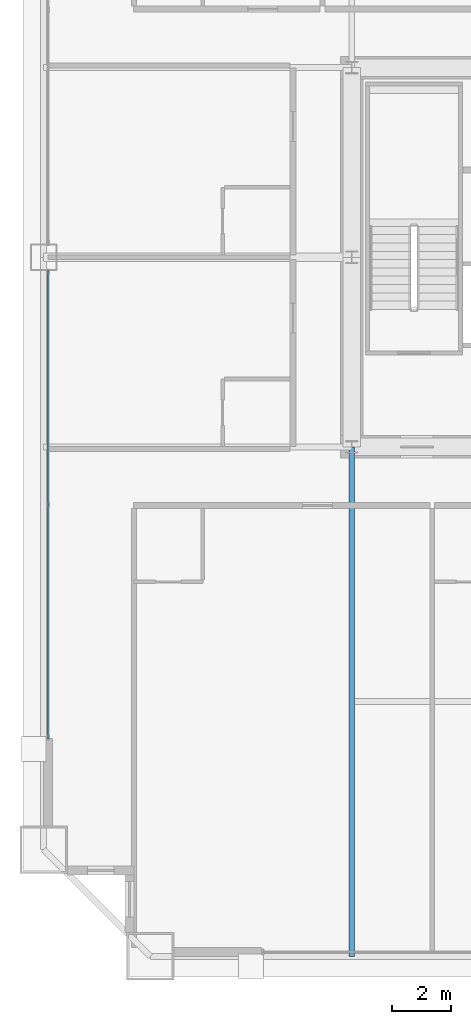
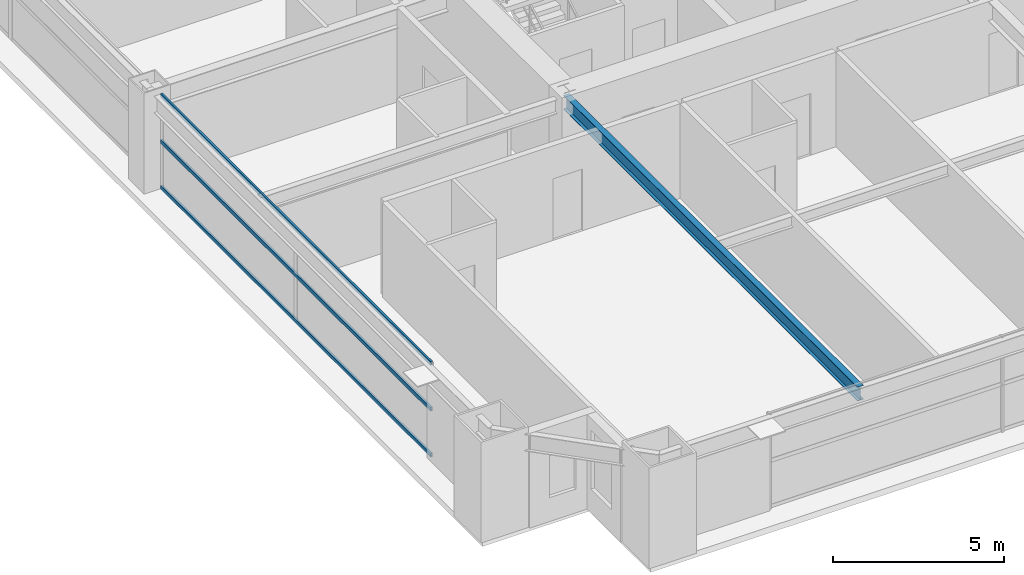
# One storey, part 9 of 39: 3 members, 1 beam, 1 element without a shape of its own.
"""IFC4 building model written with IfcOpenShell, lengths in metres."""

from ifc_helpers import new_model, si_unit, direction, frame, origin, origin_2d, place, context, subcontext, project, spatial, hollow_rectangle, i_section, extrude, source, transform, mapped, material, layer, layer_set, material_profile, profile_set, type_object, element, aggregate, save


model = new_model("IFC4")

# Units and contexts
model_context = context("Model", 3, precision=1e-05, world=origin(), true_north=direction((0.0, 1.0)))
body_context = subcontext(model_context, "Body", "Model", "MODEL_VIEW")
ifc_project = project(units=[si_unit("LENGTHUNIT", "METRE"), si_unit("AREAUNIT", "SQUARE_METRE"), si_unit("VOLUMEUNIT", "CUBIC_METRE"), si_unit("PLANEANGLEUNIT", "RADIAN"), si_unit("MASSUNIT", "GRAM", prefix="KILO"), si_unit("THERMODYNAMICTEMPERATUREUNIT", "KELVIN"), si_unit("POWERUNIT", "WATT")], contexts=[model_context])

# Site, building, storey
site_placement = place(None, origin())
site = spatial("IfcSite", under=ifc_project, at=site_placement, CompositionType="ELEMENT")
building_placement = place(site_placement, origin())
building = spatial("IfcBuilding", under=site, at=building_placement, Name="Yuzanri Waterfront Tower", CompositionType="ELEMENT")
storey_placement = place(building_placement, frame((0.0, 0.0, 134.39990234375)))
storey = spatial("IfcBuildingStorey", under=building, at=storey_placement, Name="L35", CompositionType="ELEMENT", Elevation=134.39990234375)

# Beam
ifc_material_1 = material(Name="Steel Q355B", Category="steel")
ifc_material_profile_1 = material_profile(ifc_material_1, i_section(OverallWidth=0.199951171875, OverallDepth=0.5, WebThickness=0.010009765625, FlangeThickness=0.01611328125, at=origin_2d()), Name="HN 500x200x10x16")
ifc_profile_set_1 = profile_set([ifc_material_profile_1], Name="Steel Q355B")
beam_type = type_object("IfcBeamType", Name="Secondary Floor Beam Q355B HN 500x200", PredefinedType="BEAM", material=ifc_profile_set_1)
shared_shape_1 = source(origin(), body_context, "Body", "SweptSolid", [
    extrude(i_section(OverallWidth=0.199951171875, OverallDepth=0.5, WebThickness=0.010009765625, FlangeThickness=0.01611328125, at=origin_2d()), origin(), (0.0, 0.0, 1.0), 17.199951171875),
])
beam_placement = place(storey_placement, frame((23.800048828125, 19.39990234375, 3.130126953125), z_axis=(0.0, -1.0, 0.0), x_axis=(1.0, 0.0, 0.0)))
element("IfcBeam", 1, at=beam_placement, inside=storey, type_object=beam_type, Name="L35 South-West Core Line Beam", PredefinedType="BEAM", context=body_context, shape_type="MappedRepresentation", body=[
    mapped(shared_shape_1, transform((0.0, 0.0, 0.0), scale=1.0)),
])

# Curtain wall, members
ifc_material_2 = material(Name="Anodized Architectural Bronze", Category="metal")
ifc_layer = layer(ifc_material_2, 0.159912109375)
ifc_layer_set = layer_set([ifc_layer], Name="Anodized Architectural Bronze")
curtain_wall_type = type_object("IfcCurtainWallType", Name="Anodized Bronze Hotel Upper-Tier Solar-Control Unitized Curtain Wall 7800", PredefinedType="NOTDEFINED", material=ifc_layer_set)
curtain_wall_placement = place(storey_placement, origin())
curtain_wall = element("IfcCurtainWall", 2, at=curtain_wall_placement, inside=storey, type_object=curtain_wall_type, Name="L35 Curtain Wall CW-L35-WL", PredefinedType="NOTDEFINED")
ifc_material_3 = material(Name="Anodized Architectural Bronze", Category="metal")
ifc_material_profile_2 = material_profile(ifc_material_3, hollow_rectangle(XDim=0.070068359375, YDim=0.135009765625, WallThickness=0.00341796875, at=origin_2d()), Name="CWT 70x135")
ifc_profile_set_2 = profile_set([ifc_material_profile_2], Name="Anodized Architectural Bronze")
member_type = type_object("IfcMemberType", Name="Anodized Bronze Standard Curtain-Wall Transom 70x135", PredefinedType="USERDEFINED", material=ifc_profile_set_2)
shared_shape_2 = source(origin(), body_context, "Body", "SweptSolid", [
    extrude(hollow_rectangle(XDim=0.070068359375, YDim=0.135009765625, WallThickness=0.00341796875, at=origin_2d()), origin(), (0.0, 0.0, 1.0), 15.800048828125),
])
member_1_placement = place(storey_placement, frame((13.550048828125, 9.550048828125, 0.050048828125), z_axis=(0.0, 1.0, 0.0), x_axis=(-1.0, 0.0, 0.0)))
member_1 = element("IfcMember", 3, at=member_1_placement, type_object=member_type, Name="CW-L35-WL Transom 1", ObjectType="TRANSOM", PredefinedType="USERDEFINED", context=body_context, shape_type="MappedRepresentation", body=[
    mapped(shared_shape_2, transform((0.0, 0.0, 0.0), scale=1.0)),
])
member_2_placement = place(storey_placement, frame((13.550048828125, 9.550048828125, 1.690185546875), z_axis=(0.0, 1.0, 0.0), x_axis=(-1.0, 0.0, 0.0)))
member_2 = element("IfcMember", 4, at=member_2_placement, type_object=member_type, Name="CW-L35-WL Transom 2", ObjectType="TRANSOM", PredefinedType="USERDEFINED", context=body_context, shape_type="MappedRepresentation", body=[
    mapped(shared_shape_2, transform((0.0, 0.0, 0.0), scale=1.0)),
])
member_3_placement = place(storey_placement, frame((13.550048828125, 9.550048828125, 3.330078125), z_axis=(0.0, 1.0, 0.0), x_axis=(-1.0, 0.0, 0.0)))
member_3 = element("IfcMember", 5, at=member_3_placement, type_object=member_type, Name="CW-L35-WL Transom 3", ObjectType="TRANSOM", PredefinedType="USERDEFINED", context=body_context, shape_type="MappedRepresentation", body=[
    mapped(shared_shape_2, transform((0.0, 0.0, 0.0), scale=1.0)),
])
aggregate(curtain_wall, [member_1, member_2, member_3])

save(model, "model.ifc")
